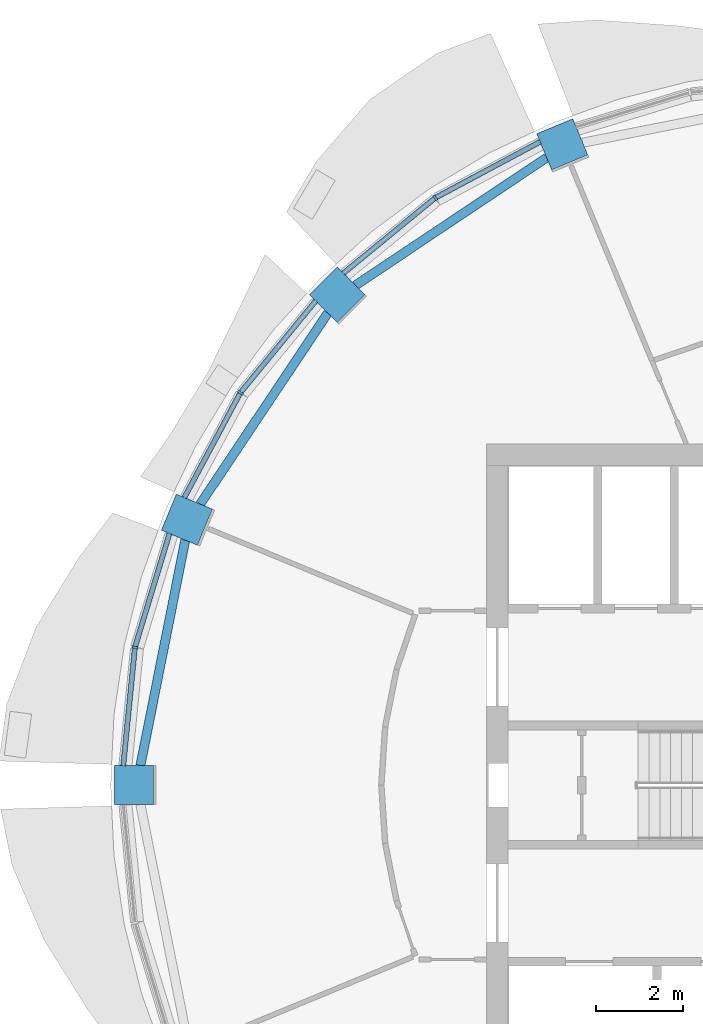
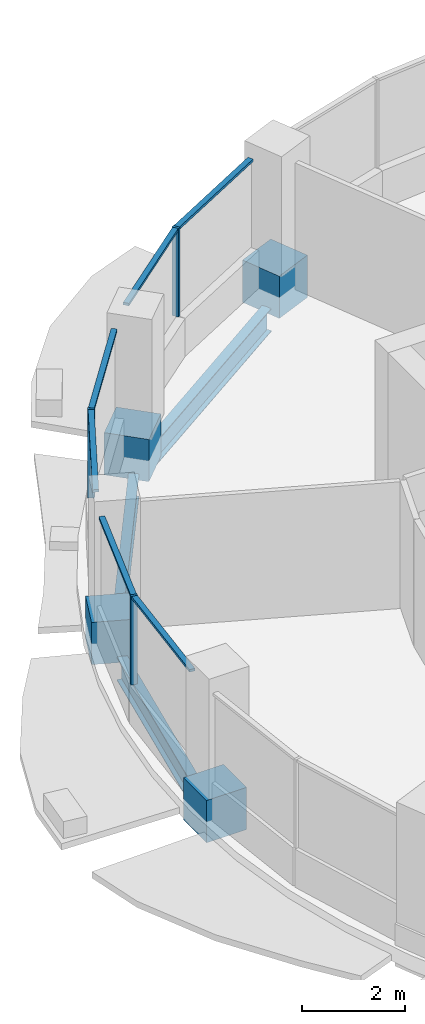
# One storey, part 4 of 15: 13 members, 3 beams, 3 elements without a shape of their own.
"""IFC4 building model written with IfcOpenShell, lengths in metres."""

import ifcopenshell
import ifcopenshell.guid

model = None  # the IFC model being written
_history = None  # IfcOwnerHistory: only IFC2X3 demands one
_inside = {}  # id of a spatial element -> (the spatial element, [elements in it])
_under = {}  # id of a project, library or spatial element -> (it, [spatial elements below it])
_declared = {}  # id of a project -> (the project, [libraries it declares])
_typed = {}  # id of a type object -> (the type object, [elements of that type])
_made_of = {}  # id of a material, layer set ... -> (it, [elements and type objects made of it])


def new_model(schema):
    """Start an empty IFC model of exactly this schema.

    Asked for "IFC4X3", IfcOpenShell would pick the latest addendum, in which some entities
    have other attributes; the version numbers below select the first issue.
    IFC2X3 requires an IfcOwnerHistory on every rooted entity: one is made here for all.
    """
    global model, _history
    if schema == "IFC4X3":
        model = ifcopenshell.file(schema_version=(4, 3, 0, 0))
    else:
        model = ifcopenshell.file(schema=schema)
    _inside.clear()
    _under.clear()
    _declared.clear()
    _typed.clear()
    _made_of.clear()
    _history = None
    if model.schema == "IFC2X3":
        org = make("IfcOrganization", Name="unknown")
        user = make(
            "IfcPersonAndOrganization",
            ThePerson=make("IfcPerson", FamilyName="unknown"),
            TheOrganization=org,
        )
        app = make(
            "IfcApplication",
            ApplicationDeveloper=org,
            Version="unknown",
            ApplicationFullName="unknown",
            ApplicationIdentifier="unknown",
        )
        _history = make(
            "IfcOwnerHistory",
            OwningUser=user,
            OwningApplication=app,
            ChangeAction="ADDED",
            CreationDate=0,
        )
    return model


def make(cls, **values):
    """One entity of the class cls with the attributes given. An attribute that is None is left unset."""
    return model.create_entity(
        cls, **{name: value for name, value in values.items() if value is not None}
    )


def rooted(cls, **values):
    """An entity with a GlobalId (a new one), such as an element, a storey or a relation."""
    return make(cls, GlobalId=ifcopenshell.guid.new(), OwnerHistory=_history, **values)


def si_unit(unit_type, name, prefix=None):
    """IfcSIUnit, for example si_unit("LENGTHUNIT", "METRE", prefix="MILLI")."""
    return make("IfcSIUnit", UnitType=unit_type, Prefix=prefix, Name=name)


def assignment(units):
    """IfcUnitAssignment: the units of a project."""
    return None if units is None else make("IfcUnitAssignment", Units=units)


def point(xyz):
    """IfcCartesianPoint."""
    return None if xyz is None else make("IfcCartesianPoint", Coordinates=xyz)


def direction(xyz):
    """IfcDirection."""
    return None if xyz is None else make("IfcDirection", DirectionRatios=xyz)


def frame(location, z_axis=None, x_axis=None):
    """IfcAxis2Placement3D, a coordinate frame: its origin and axes. An axis left out is left unset."""
    return make(
        "IfcAxis2Placement3D",
        Location=point(location),
        Axis=direction(z_axis),
        RefDirection=direction(x_axis),
    )


def frame_2d(location, x_axis=None):
    """IfcAxis2Placement2D, a coordinate frame in the plane: its origin and x axis."""
    return make(
        "IfcAxis2Placement2D", Location=point(location), RefDirection=direction(x_axis)
    )


def origin():
    """The frame at (0, 0, 0) with its axes left unset."""
    return frame((0.0, 0.0, 0.0))


def origin_2d():
    """The frame at (0, 0) in the plane with its x axis left unset."""
    return frame_2d((0.0, 0.0))


def place(relative_to, where):
    """IfcLocalPlacement: puts the frame where relative to a parent placement (None: the world)."""
    return make(
        "IfcLocalPlacement", PlacementRelTo=relative_to, RelativePlacement=where
    )


def context(
    kind, dimensions, precision=None, world=None, true_north=None, identifier=None
):
    """IfcGeometricRepresentationContext, for example the 3D "Model" context."""
    return make(
        "IfcGeometricRepresentationContext",
        ContextIdentifier=identifier,
        ContextType=kind,
        CoordinateSpaceDimension=dimensions,
        Precision=precision,
        WorldCoordinateSystem=world,
        TrueNorth=true_north,
    )


def subcontext(parent, identifier, kind, view, scale=None):
    """IfcGeometricRepresentationSubContext, for example "Body" below "Model"."""
    return make(
        "IfcGeometricRepresentationSubContext",
        ContextIdentifier=identifier,
        ContextType=kind,
        ParentContext=parent,
        TargetScale=scale,
        TargetView=view,
    )


def project(units=None, contexts=None):
    """IfcProject with its units and contexts."""
    return rooted(
        "IfcProject",
        Name="project",
        RepresentationContexts=contexts,
        UnitsInContext=assignment(units),
    )


def spatial(cls, under=None, at=None, **own):
    """A site, building, storey or space (cls), placed at a placement, below another one or the project."""
    s = rooted(cls, ObjectPlacement=at, **own)
    if under is not None:
        _under.setdefault(under.id(), (under, []))[1].append(s)
    return s


def profile(cls, at=None, kind="AREA", **sizes):
    """A parametric profile (cls). Its sizes go by their IFC names, for example OverallWidth=200.0."""
    return make(cls, ProfileType=kind, Position=at, **sizes)


def rectangle(**sizes):
    """IfcRectangleProfileDef."""
    return profile("IfcRectangleProfileDef", **sizes)


def i_section(**sizes):
    """IfcIShapeProfileDef."""
    return profile("IfcIShapeProfileDef", **sizes)


def extrude(swept, where, along, depth):
    """IfcExtrudedAreaSolid: the profile swept, set in the frame where, extruded along a direction by depth."""
    return make(
        "IfcExtrudedAreaSolid",
        SweptArea=swept,
        Position=where,
        ExtrudedDirection=direction(along),
        Depth=depth,
    )


def shape(context_of_items, identifier, shape_type, items):
    """IfcShapeRepresentation: the items that make up one representation, for example the "Body"."""
    return make(
        "IfcShapeRepresentation",
        ContextOfItems=context_of_items,
        RepresentationIdentifier=identifier,
        RepresentationType=shape_type,
        Items=items,
    )


def material(Name=None, Category=None):
    """IfcMaterial."""
    return make("IfcMaterial", Name=Name, Category=Category)


def material_profile(
    of_material, cross_section, Name=None, Category=None, Priority=None
):
    """IfcMaterialProfile: a cross section and its material."""
    return make(
        "IfcMaterialProfile",
        Name=Name,
        Material=of_material,
        Profile=cross_section,
        Priority=Priority,
        Category=Category,
    )


def profile_set(profiles, Name=None, composite=None):
    """IfcMaterialProfileSet."""
    return make(
        "IfcMaterialProfileSet",
        Name=Name,
        MaterialProfiles=profiles,
        CompositeProfile=composite,
    )


def made_of(thing, what):
    """Note that an element or type object is made of a material, layer set ...; save() writes the relation."""
    if what is not None:
        _made_of.setdefault(what.id(), (what, []))[1].append(thing)
    return thing


def type_object(cls, material=None, **own):
    """A type object (cls), such as IfcWallType, which elements share."""
    return made_of(rooted(cls, **own), material)


def element(
    cls,
    number,
    at=None,
    inside=None,
    cuts=None,
    type_object=None,
    material=None,
    context=None,
    identifier="Body",
    shape_type=None,
    held_by="IfcProductDefinitionShape",
    body=None,
    shapes=None,
    **own,
):
    """One element of the class cls, such as IfcWall. Its Tag is "e" and its number.

    at: its placement. inside: the storey or other place that contains it. cuts: it is an
    opening in that element (IfcRelVoidsElement). A single representation is given by context,
    identifier, shape_type and body (its items); several are given by shapes. held_by: the class
    of the entity that holds the representations. save() writes the other relations.
    """
    e = rooted(cls, Tag="e%d" % number, ObjectPlacement=at, **own)
    if body is not None:
        shapes = [shape(context, identifier, shape_type, body)]
    if shapes is not None:
        e.Representation = make(held_by, Representations=shapes)
    if inside is not None:
        _inside.setdefault(inside.id(), (inside, []))[1].append(e)
    if cuts is not None:
        rooted(
            "IfcRelVoidsElement", RelatingBuildingElement=cuts, RelatedOpeningElement=e
        )
    if type_object is not None:
        _typed.setdefault(type_object.id(), (type_object, []))[1].append(e)
    return made_of(e, material)


def aggregate(whole, parts):
    """IfcRelAggregates: a whole, such as a stair, and the parts it consists of."""
    return rooted("IfcRelAggregates", RelatingObject=whole, RelatedObjects=parts)


def save(model, path):
    """Write the relations noted so far, then the file.

    IfcRelAggregates (storeys below a building ...), IfcRelContainedInSpatialStructure (elements
    in a storey), IfcRelDefinesByType, IfcRelAssociatesMaterial and IfcRelDeclares: one each for
    every whole, place, type object, material and project.
    """
    for whole, parts in _under.values():
        aggregate(whole, parts)
    for where, things in _inside.values():
        rooted(
            "IfcRelContainedInSpatialStructure",
            RelatedElements=things,
            RelatingStructure=where,
        )
    for kind, things in _typed.values():
        rooted("IfcRelDefinesByType", RelatedObjects=things, RelatingType=kind)
    for what, things in _made_of.values():
        rooted("IfcRelAssociatesMaterial", RelatedObjects=things, RelatingMaterial=what)
    for by, libraries in _declared.values():
        rooted("IfcRelDeclares", RelatingContext=by, RelatedDefinitions=libraries)
    model.write(path)


model = new_model("IFC4")

# Units and contexts
model_context = context("Model", 3, precision=1e-05, world=origin(), true_north=direction((0.0, 1.0)))
body_context = subcontext(model_context, "Body", "Model", "MODEL_VIEW")
ifc_project = project(units=[si_unit("LENGTHUNIT", "METRE"), si_unit("AREAUNIT", "SQUARE_METRE"), si_unit("VOLUMEUNIT", "CUBIC_METRE"), si_unit("PLANEANGLEUNIT", "RADIAN"), si_unit("MASSUNIT", "GRAM", prefix="KILO")], contexts=[model_context])

# Site, building, storey
site_placement = place(None, origin())
site = spatial("IfcSite", under=ifc_project, at=site_placement, CompositionType="ELEMENT")
building_placement = place(site_placement, origin())
building = spatial("IfcBuilding", under=site, at=building_placement, Name="Polderwave Tower", CompositionType="ELEMENT")
storey_placement = place(building_placement, frame((0.0, 0.0, 207.75)))
storey = spatial("IfcBuildingStorey", under=building, at=storey_placement, Name="L56", CompositionType="ELEMENT", Elevation=207.75)

# Curtain wall, member
ifc_material_1 = material(Name="Aluminium 6063-T6 and glass", Category="aluminium")
curtain_wall_type = type_object("IfcCurtainWallType", Name="Office ribbon glazing wall", PredefinedType="NOTDEFINED", material=ifc_material_1)
curtain_wall_1_placement = place(storey_placement, origin())
curtain_wall_1 = element("IfcCurtainWall", 1, at=curtain_wall_1_placement, inside=storey, type_object=curtain_wall_type, Name="CW3 L56 05", PredefinedType="NOTDEFINED")
ifc_material_2 = material(Name="Aluminium 6063-T6", Category="aluminium")
ifc_material_profile_1 = material_profile(ifc_material_2, rectangle(XDim=0.139892578125, YDim=0.054931640625, at=origin_2d()), Name="AL 55x140")
ifc_profile_set_1 = profile_set([ifc_material_profile_1], Name="Aluminium 6063-T6")
member_type_1 = type_object("IfcMemberType", Name="Office ribbon glazing mullion 55x140", PredefinedType="MULLION", material=ifc_profile_set_1)
member_1_placement = place(storey_placement, frame((-9.055908203125, 13.552978515625, 0.89990234375), z_axis=(0.0, 0.0, 1.0), x_axis=(0.555592000653, -0.831455067223, 0.0)))
member_1 = element("IfcMember", 2, at=member_1_placement, type_object=member_type_1, Name="CW3 mullion 1", PredefinedType="MULLION", context=body_context, shape_type="SweptSolid", body=[
    extrude(rectangle(XDim=0.139892578125, YDim=0.054931640625, at=origin_2d()), origin(), (0.0, 0.0, 1.0), 2.10009765625),
])

curtain_wall_2_placement = place(storey_placement, origin())
curtain_wall_2 = element("IfcCurtainWall", 3, at=curtain_wall_2_placement, inside=storey, type_object=curtain_wall_type, Name="CW3 L56 06", PredefinedType="NOTDEFINED")
member_2_placement = place(storey_placement, frame((-13.552978515625, 9.055908203125, 0.89990234375), z_axis=(0.0, 0.0, 1.0), x_axis=(0.831455067223, -0.555592000653, 0.0)))
member_2 = element("IfcMember", 4, at=member_2_placement, type_object=member_type_1, Name="CW3 mullion 1", PredefinedType="MULLION", context=body_context, shape_type="SweptSolid", body=[
    extrude(rectangle(XDim=0.139892578125, YDim=0.054931640625, at=origin_2d()), origin(), (0.0, 0.0, 1.0), 2.10009765625),
])

curtain_wall_3_placement = place(storey_placement, origin())
curtain_wall_3 = element("IfcCurtainWall", 5, at=curtain_wall_3_placement, inside=storey, type_object=curtain_wall_type, Name="CW3 L56 07", PredefinedType="NOTDEFINED")
member_3_placement = place(storey_placement, frame((-15.987060546875, 3.179931640625, 0.89990234375), z_axis=(0.0, 0.0, 1.0), x_axis=(0.980756668128, -0.195234110551, 0.0)))
member_3 = element("IfcMember", 6, at=member_3_placement, type_object=member_type_1, Name="CW3 mullion 1", PredefinedType="MULLION", context=body_context, shape_type="SweptSolid", body=[
    extrude(rectangle(XDim=0.139892578125, YDim=0.054931640625, at=origin_2d()), origin(), (0.0, 0.0, 1.0), 2.10009765625),
])

# Member
ifc_material_profile_2 = material_profile(ifc_material_2, rectangle(XDim=0.1201171875, YDim=0.06005859375, at=origin_2d()), Name="AL 60x120")
ifc_profile_set_2 = profile_set([ifc_material_profile_2], Name="Aluminium 6063-T6")
member_type_2 = type_object("IfcMemberType", Name="Office ribbon glazing transom 60x120", PredefinedType="USERDEFINED", material=ifc_profile_set_2)
member_4_placement = place(storey_placement, frame((-6.636962890625, 14.845947265625, 2.969970703125), z_axis=(-0.88192200192, -0.471395356924, 0.0), x_axis=(0.471395356924, -0.88192200192, 0.0)))
member_4 = element("IfcMember", 7, at=member_4_placement, type_object=member_type_2, Name="CW3 transom 1", ObjectType="TRANSOM", PredefinedType="USERDEFINED", context=body_context, shape_type="SweptSolid", body=[
    extrude(rectangle(XDim=0.1201171875, YDim=0.06005859375, at=origin_2d()), origin(), (0.0, 0.0, 1.0), 2.71533203125),
])

member_5_placement = place(storey_placement, frame((-9.077392578125, 13.53564453125, 2.969970703125), z_axis=(-0.772946726022, -0.634470928201, 0.0), x_axis=(0.634470928201, -0.772946726022, 0.0)))
member_5 = element("IfcMember", 8, at=member_5_placement, type_object=member_type_2, Name="CW3 transom 2", ObjectType="TRANSOM", PredefinedType="USERDEFINED", context=body_context, shape_type="SweptSolid", body=[
    extrude(rectangle(XDim=0.1201171875, YDim=0.06005859375, at=origin_2d()), origin(), (0.0, 0.0, 1.0), 2.715087890625),
])

aggregate(curtain_wall_1, [member_1, member_4, member_5])

member_6_placement = place(storey_placement, frame((-11.81298828125, 11.176025390625, 2.969970703125), z_axis=(-0.634470928201, -0.772946726022, 0.0), x_axis=(0.772946726022, -0.634470928201, 0.0)))
member_6 = element("IfcMember", 9, at=member_6_placement, type_object=member_type_2, Name="CW3 transom 1", ObjectType="TRANSOM", PredefinedType="USERDEFINED", context=body_context, shape_type="SweptSolid", body=[
    extrude(rectangle(XDim=0.1201171875, YDim=0.06005859375, at=origin_2d()), origin(), (0.0, 0.0, 1.0), 2.715087890625),
])

member_7_placement = place(storey_placement, frame((-13.56591796875, 9.03173828125, 2.969970703125), z_axis=(-0.471395356924, -0.88192200192, 0.0), x_axis=(0.88192200192, -0.471395356924, 0.0)))
member_7 = element("IfcMember", 10, at=member_7_placement, type_object=member_type_2, Name="CW3 transom 2", ObjectType="TRANSOM", PredefinedType="USERDEFINED", context=body_context, shape_type="SweptSolid", body=[
    extrude(rectangle(XDim=0.1201171875, YDim=0.06005859375, at=origin_2d()), origin(), (0.0, 0.0, 1.0), 2.71533203125),
])

aggregate(curtain_wall_2, [member_2, member_6, member_7])

member_8_placement = place(storey_placement, frame((-15.18994140625, 5.804931640625, 2.969970703125), z_axis=(-0.290546276121, -0.956860941533, 0.0), x_axis=(0.956860941533, -0.290546276121, 0.0)))
member_8 = element("IfcMember", 11, at=member_8_placement, type_object=member_type_2, Name="CW3 transom 1", ObjectType="TRANSOM", PredefinedType="USERDEFINED", context=body_context, shape_type="SweptSolid", body=[
    extrude(rectangle(XDim=0.1201171875, YDim=0.06005859375, at=origin_2d()), origin(), (0.0, 0.0, 1.0), 2.7158203125),
])

member_9_placement = place(storey_placement, frame((-15.98974609375, 3.152587890625, 2.969970703125), z_axis=(-0.09807947932, -0.995178584846, 0.0), x_axis=(0.995178584846, -0.09807947932, 0.0)))
member_9 = element("IfcMember", 12, at=member_9_placement, type_object=member_type_2, Name="CW3 transom 2", ObjectType="TRANSOM", PredefinedType="USERDEFINED", context=body_context, shape_type="SweptSolid", body=[
    extrude(rectangle(XDim=0.1201171875, YDim=0.06005859375, at=origin_2d()), origin(), (0.0, 0.0, 1.0), 2.7158203125),
])

aggregate(curtain_wall_3, [member_3, member_8, member_9])

# Members
ifc_material_3 = material(Name="Concrete C60/75", Category="concrete")
ifc_material_profile_3 = material_profile(ifc_material_3, rectangle(XDim=0.89990234375, YDim=0.89990234375, at=origin_2d()), Name="RC 900x900")
ifc_profile_set_3 = profile_set([ifc_material_profile_3], Name="Concrete C60/75")
member_type_3 = type_object("IfcMemberType", Name="RC NODE 900x900 C60/75", PredefinedType="POST", material=ifc_profile_set_3)
for number, where, z_axis, x_axis, name in (
    (13, (-6.125244140625, 14.78759765625, -0.5), (0.0, 0.0, 1.0), (-0.382683432365, 0.923879532511, 0.0), "Ring column node 06"),
    (14, (-11.31787109375, 11.31787109375, -0.5), (0.0, 0.0, 1.0), (-0.707106781187, 0.707106781187, 0.0), "Ring column node 07"),
    (15, (-14.78759765625, 6.125244140625, -0.5), (0.0, 0.0, 1.0), (-0.923879532511, 0.382683432365, 0.0), "Ring column node 08"),
    (16, (-16.005859375, 0.0, -0.5), (0.0, 0.0, 1.0), (-1.0, 0.0, 0.0), "Ring column node 09"),
):
    element("IfcMember", number, at=place(storey_placement, frame(where, z_axis=z_axis, x_axis=x_axis)), inside=storey, type_object=member_type_3, Name=name, PredefinedType="POST", context=body_context, shape_type="SweptSolid", body=[
        extrude(rectangle(XDim=0.89990234375, YDim=0.89990234375, at=origin_2d()), origin(), (0.0, 0.0, 1.0), 1.0),
    ])

# Beams
ifc_material_4 = material(Name="Steel S355", Category="steel")
ifc_material_profile_4 = material_profile(ifc_material_4, i_section(OverallWidth=0.2099609375, OverallDepth=0.550048828125, WebThickness=0.010986328125, FlangeThickness=0.01708984375, at=origin_2d()), Name="IPE 550")
ifc_profile_set_4 = profile_set([ifc_material_profile_4], Name="Steel S355")
beam_type = type_object("IfcBeamType", Name="RING BEAM IPE 550", PredefinedType="BEAM", material=ifc_profile_set_4)
for number, where, z_axis, x_axis, name in (
    (17, (-6.4853515625, 14.48095703125, -0.625), (-0.831469356963, -0.555570615162, 0.0), (0.555570615162, -0.831469356963, 0.0), "ST-RB-L56-05"),
    (18, (-11.533203125, 10.89697265625, -0.625), (-0.555570615162, -0.831469356963, 0.0), (0.831469356963, -0.555570615162, 0.0), "ST-RB-L56-06"),
    (19, (-14.825439453125, 5.65380859375, -0.625), (-0.195098417144, -0.980783670147, 0.0), (0.980783670147, -0.195098417144, 0.0), "ST-RB-L56-07"),
):
    element("IfcBeam", number, at=place(storey_placement, frame(where, z_axis=z_axis, x_axis=x_axis)), inside=storey, type_object=beam_type, Name=name, PredefinedType="BEAM", context=body_context, shape_type="SweptSolid", body=[
        extrude(i_section(OverallWidth=0.2099609375, OverallDepth=0.550048828125, WebThickness=0.010986328125, FlangeThickness=0.01708984375, at=origin_2d()), origin(), (0.0, 0.0, 1.0), 5.305908203125),
    ])

save(model, "model.ifc")
